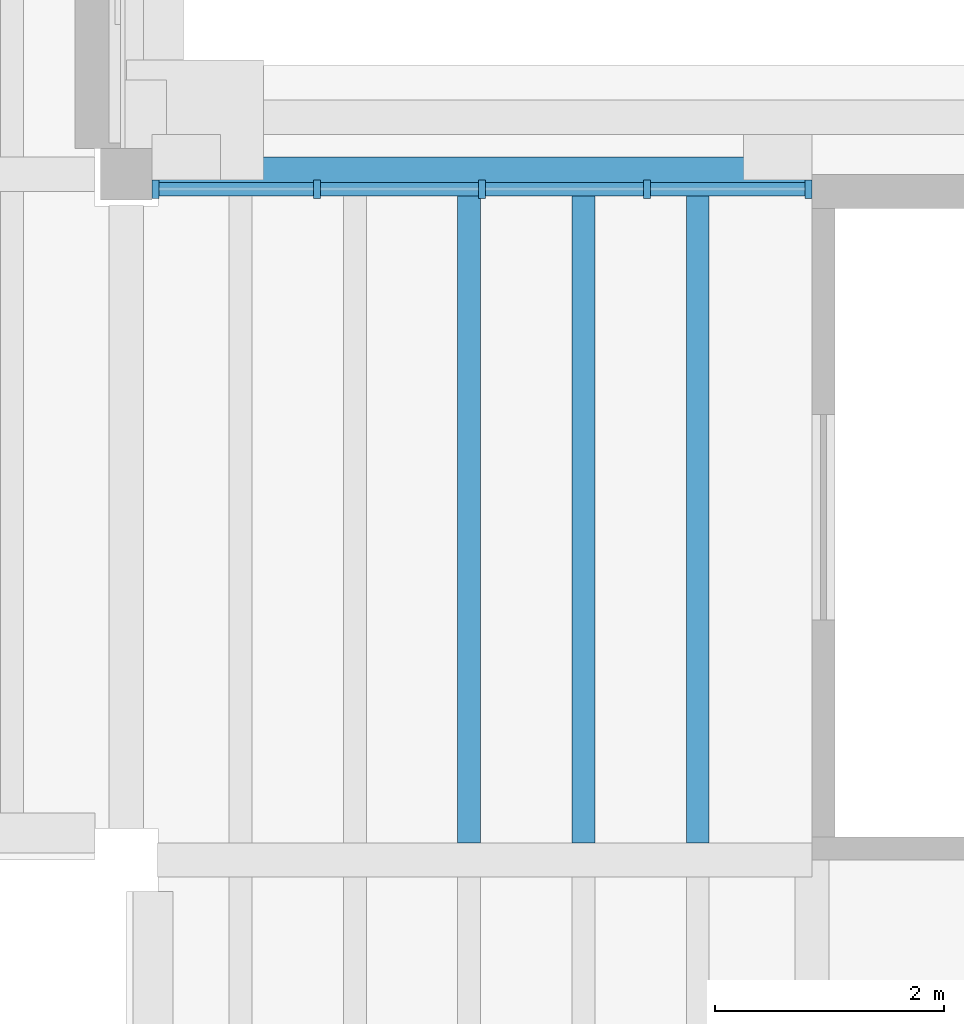
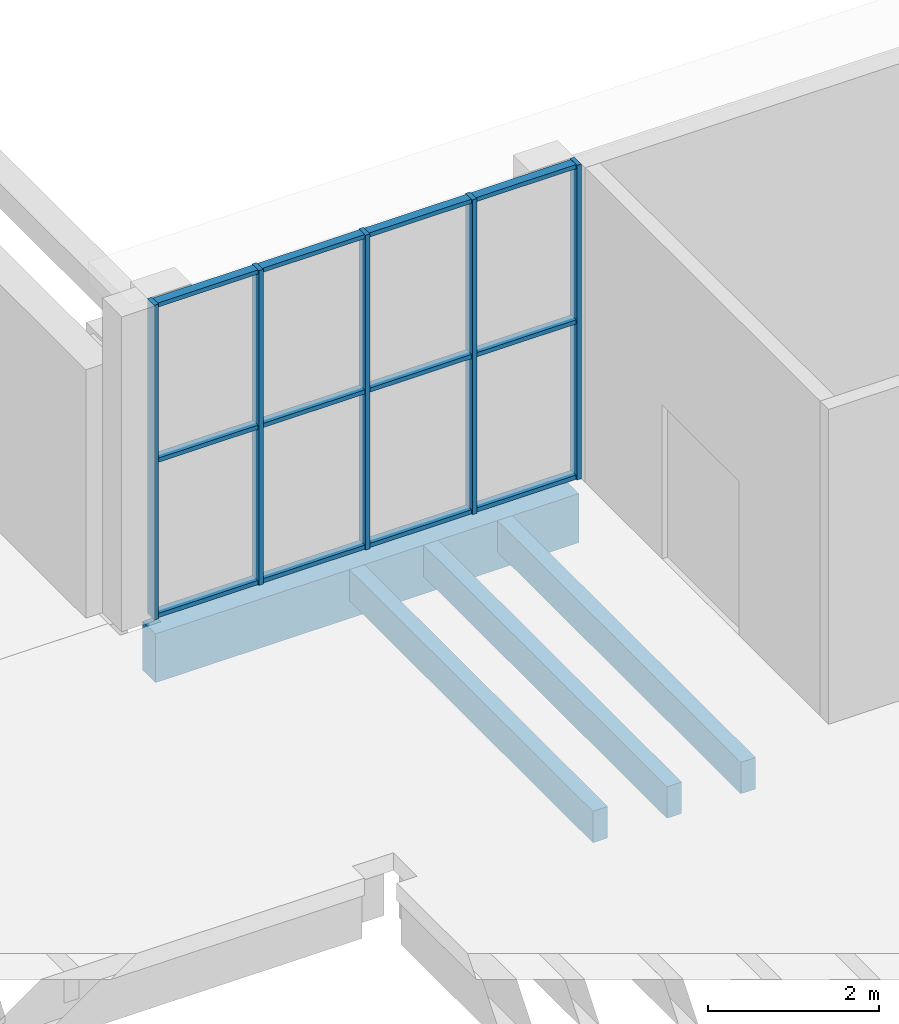
# One storey, part 9 of 70: 17 members, 4 beams, 1 element without a shape of its own.
"""IFC4 building model written with IfcOpenShell, lengths in metres."""

from ifc_helpers import new_model, si_unit, direction, frame, origin, origin_2d, place, context, subcontext, project, spatial, rectangle, extrude, material, material_profile, profile_set, type_object, element, aggregate, save


model = new_model("IFC4")

# Units and contexts
model_context = context("Model", 3, precision=1e-05, world=origin(), true_north=direction((0.0, 1.0)))
body_context = subcontext(model_context, "Body", "Model", "MODEL_VIEW")
ifc_project = project(units=[si_unit("LENGTHUNIT", "METRE"), si_unit("AREAUNIT", "SQUARE_METRE"), si_unit("VOLUMEUNIT", "CUBIC_METRE"), si_unit("PLANEANGLEUNIT", "RADIAN"), si_unit("MASSUNIT", "GRAM", prefix="KILO")], contexts=[model_context])

# Site, building, storey
site_placement = place(None, origin())
site = spatial("IfcSite", under=ifc_project, at=site_placement, CompositionType="ELEMENT")
building_placement = place(site_placement, origin())
building = spatial("IfcBuilding", under=site, at=building_placement, Name="Saffron Lane Theatres", CompositionType="ELEMENT")
storey_placement = place(building_placement, frame((0.0, 0.0, 12.0)))
storey = spatial("IfcBuildingStorey", under=building, at=storey_placement, Name="L02", CompositionType="ELEMENT", Elevation=12.0)

# Curtain wall, members
ifc_material_1 = material(Name="Aluminium", Category="aluminium")
curtain_wall_type = type_object("IfcCurtainWallType", Name="EX-CURTAIN WALL 5770x4500x160", PredefinedType="NOTDEFINED", material=ifc_material_1)
curtain_wall_placement = place(storey_placement, origin())
curtain_wall = element("IfcCurtainWall", 1, at=curtain_wall_placement, inside=storey, type_object=curtain_wall_type, Name="Curtain wall L02 04", PredefinedType="NOTDEFINED")
ifc_material_2 = material(Name="Aluminium", Category="aluminium")
ifc_material_profile_1 = material_profile(ifc_material_2, rectangle(XDim=0.06005859375, YDim=0.159912109375, at=origin_2d()))
ifc_profile_set_1 = profile_set([ifc_material_profile_1], Name="Aluminium")
member_type_1 = type_object("IfcMemberType", Name="EX-CW MULLION 60x160", PredefinedType="MULLION", material=ifc_profile_set_1)
member_1_placement = place(storey_placement, frame((54.255126953125, 29.8701171875, 0.0), z_axis=(0.0, 0.0, 1.0), x_axis=(1.0, 0.0, 0.0)))
member_1 = element("IfcMember", 2, at=member_1_placement, type_object=member_type_1, Name="CW-02-04 mullion 1", PredefinedType="MULLION", context=body_context, shape_type="SweptSolid", body=[
    extrude(rectangle(XDim=0.06005859375, YDim=0.159912109375, at=origin_2d()), origin(), (0.0, 0.0, 1.0), 4.5),
])
member_2_placement = place(storey_placement, frame((55.668701171875, 29.8701171875, 0.0), z_axis=(0.0, 0.0, 1.0), x_axis=(1.0, 0.0, 0.0)))
member_2 = element("IfcMember", 3, at=member_2_placement, type_object=member_type_1, Name="CW-02-04 mullion 2", PredefinedType="MULLION", context=body_context, shape_type="SweptSolid", body=[
    extrude(rectangle(XDim=0.06005859375, YDim=0.159912109375, at=origin_2d()), origin(), (0.0, 0.0, 1.0), 4.5),
])
member_3_placement = place(storey_placement, frame((57.112548828125, 29.8701171875, 0.0), z_axis=(0.0, 0.0, 1.0), x_axis=(1.0, 0.0, 0.0)))
member_3 = element("IfcMember", 4, at=member_3_placement, type_object=member_type_1, Name="CW-02-04 mullion 3", PredefinedType="MULLION", context=body_context, shape_type="SweptSolid", body=[
    extrude(rectangle(XDim=0.06005859375, YDim=0.159912109375, at=origin_2d()), origin(), (0.0, 0.0, 1.0), 4.5),
])
member_4_placement = place(storey_placement, frame((58.55615234375, 29.8701171875, 0.0), z_axis=(0.0, 0.0, 1.0), x_axis=(1.0, 0.0, 0.0)))
member_4 = element("IfcMember", 5, at=member_4_placement, type_object=member_type_1, Name="CW-02-04 mullion 4", PredefinedType="MULLION", context=body_context, shape_type="SweptSolid", body=[
    extrude(rectangle(XDim=0.06005859375, YDim=0.159912109375, at=origin_2d()), origin(), (0.0, 0.0, 1.0), 4.5),
])
member_5_placement = place(storey_placement, frame((59.969970703125, 29.8701171875, 0.0), z_axis=(0.0, 0.0, 1.0), x_axis=(1.0, 0.0, 0.0)))
member_5 = element("IfcMember", 6, at=member_5_placement, type_object=member_type_1, Name="CW-02-04 mullion 5", PredefinedType="MULLION", context=body_context, shape_type="SweptSolid", body=[
    extrude(rectangle(XDim=0.06005859375, YDim=0.159912109375, at=origin_2d()), origin(), (0.0, 0.0, 1.0), 4.5),
])
ifc_material_3 = material(Name="Aluminium", Category="aluminium")
ifc_material_profile_2 = material_profile(ifc_material_3, rectangle(XDim=0.1201171875, YDim=0.06005859375, at=origin_2d()))
ifc_profile_set_2 = profile_set([ifc_material_profile_2], Name="Aluminium")
member_type_2 = type_object("IfcMemberType", Name="EX-CW TRANSOM 120x60", PredefinedType="USERDEFINED", material=ifc_profile_set_2)
member_6_placement = place(storey_placement, frame((54.28515625, 29.8701171875, 0.030029296875), z_axis=(1.0, 0.0, 0.0), x_axis=(0.0, 1.0, 0.0)))
member_6 = element("IfcMember", 7, at=member_6_placement, type_object=member_type_2, Name="CW-02-04 transom 1.1", ObjectType="TRANSOM", PredefinedType="USERDEFINED", context=body_context, shape_type="SweptSolid", body=[
    extrude(rectangle(XDim=0.1201171875, YDim=0.06005859375, at=origin_2d()), origin(), (0.0, 0.0, 1.0), 1.353759765625),
])
member_7_placement = place(storey_placement, frame((54.28515625, 29.8701171875, 2.25), z_axis=(1.0, 0.0, 0.0), x_axis=(0.0, 1.0, 0.0)))
member_7 = element("IfcMember", 8, at=member_7_placement, type_object=member_type_2, Name="CW-02-04 transom 1.2", ObjectType="TRANSOM", PredefinedType="USERDEFINED", context=body_context, shape_type="SweptSolid", body=[
    extrude(rectangle(XDim=0.1201171875, YDim=0.06005859375, at=origin_2d()), origin(), (0.0, 0.0, 1.0), 1.353759765625),
])
member_8_placement = place(storey_placement, frame((54.28515625, 29.8701171875, 4.469970703125), z_axis=(1.0, 0.0, 0.0), x_axis=(0.0, 1.0, 0.0)))
member_8 = element("IfcMember", 9, at=member_8_placement, type_object=member_type_2, Name="CW-02-04 transom 1.3", ObjectType="TRANSOM", PredefinedType="USERDEFINED", context=body_context, shape_type="SweptSolid", body=[
    extrude(rectangle(XDim=0.1201171875, YDim=0.06005859375, at=origin_2d()), origin(), (0.0, 0.0, 1.0), 1.353759765625),
])
member_9_placement = place(storey_placement, frame((55.69873046875, 29.8701171875, 0.030029296875), z_axis=(1.0, 0.0, 0.0), x_axis=(0.0, 1.0, 0.0)))
member_9 = element("IfcMember", 10, at=member_9_placement, type_object=member_type_2, Name="CW-02-04 transom 2.1", ObjectType="TRANSOM", PredefinedType="USERDEFINED", context=body_context, shape_type="SweptSolid", body=[
    extrude(rectangle(XDim=0.1201171875, YDim=0.06005859375, at=origin_2d()), origin(), (0.0, 0.0, 1.0), 1.3837890625),
])
member_10_placement = place(storey_placement, frame((55.69873046875, 29.8701171875, 2.25), z_axis=(1.0, 0.0, 0.0), x_axis=(0.0, 1.0, 0.0)))
member_10 = element("IfcMember", 11, at=member_10_placement, type_object=member_type_2, Name="CW-02-04 transom 2.2", ObjectType="TRANSOM", PredefinedType="USERDEFINED", context=body_context, shape_type="SweptSolid", body=[
    extrude(rectangle(XDim=0.1201171875, YDim=0.06005859375, at=origin_2d()), origin(), (0.0, 0.0, 1.0), 1.3837890625),
])
member_11_placement = place(storey_placement, frame((55.69873046875, 29.8701171875, 4.469970703125), z_axis=(1.0, 0.0, 0.0), x_axis=(0.0, 1.0, 0.0)))
member_11 = element("IfcMember", 12, at=member_11_placement, type_object=member_type_2, Name="CW-02-04 transom 2.3", ObjectType="TRANSOM", PredefinedType="USERDEFINED", context=body_context, shape_type="SweptSolid", body=[
    extrude(rectangle(XDim=0.1201171875, YDim=0.06005859375, at=origin_2d()), origin(), (0.0, 0.0, 1.0), 1.3837890625),
])
member_12_placement = place(storey_placement, frame((57.142578125, 29.8701171875, 0.030029296875), z_axis=(1.0, 0.0, 0.0), x_axis=(0.0, 1.0, 0.0)))
member_12 = element("IfcMember", 13, at=member_12_placement, type_object=member_type_2, Name="CW-02-04 transom 3.1", ObjectType="TRANSOM", PredefinedType="USERDEFINED", context=body_context, shape_type="SweptSolid", body=[
    extrude(rectangle(XDim=0.1201171875, YDim=0.06005859375, at=origin_2d()), origin(), (0.0, 0.0, 1.0), 1.3837890625),
])
member_13_placement = place(storey_placement, frame((57.142578125, 29.8701171875, 2.25), z_axis=(1.0, 0.0, 0.0), x_axis=(0.0, 1.0, 0.0)))
member_13 = element("IfcMember", 14, at=member_13_placement, type_object=member_type_2, Name="CW-02-04 transom 3.2", ObjectType="TRANSOM", PredefinedType="USERDEFINED", context=body_context, shape_type="SweptSolid", body=[
    extrude(rectangle(XDim=0.1201171875, YDim=0.06005859375, at=origin_2d()), origin(), (0.0, 0.0, 1.0), 1.3837890625),
])
member_14_placement = place(storey_placement, frame((57.142578125, 29.8701171875, 4.469970703125), z_axis=(1.0, 0.0, 0.0), x_axis=(0.0, 1.0, 0.0)))
member_14 = element("IfcMember", 15, at=member_14_placement, type_object=member_type_2, Name="CW-02-04 transom 3.3", ObjectType="TRANSOM", PredefinedType="USERDEFINED", context=body_context, shape_type="SweptSolid", body=[
    extrude(rectangle(XDim=0.1201171875, YDim=0.06005859375, at=origin_2d()), origin(), (0.0, 0.0, 1.0), 1.3837890625),
])
member_15_placement = place(storey_placement, frame((58.586181640625, 29.8701171875, 0.030029296875), z_axis=(1.0, 0.0, 0.0), x_axis=(0.0, 1.0, 0.0)))
member_15 = element("IfcMember", 16, at=member_15_placement, type_object=member_type_2, Name="CW-02-04 transom 4.1", ObjectType="TRANSOM", PredefinedType="USERDEFINED", context=body_context, shape_type="SweptSolid", body=[
    extrude(rectangle(XDim=0.1201171875, YDim=0.06005859375, at=origin_2d()), origin(), (0.0, 0.0, 1.0), 1.353759765625),
])
member_16_placement = place(storey_placement, frame((58.586181640625, 29.8701171875, 2.25), z_axis=(1.0, 0.0, 0.0), x_axis=(0.0, 1.0, 0.0)))
member_16 = element("IfcMember", 17, at=member_16_placement, type_object=member_type_2, Name="CW-02-04 transom 4.2", ObjectType="TRANSOM", PredefinedType="USERDEFINED", context=body_context, shape_type="SweptSolid", body=[
    extrude(rectangle(XDim=0.1201171875, YDim=0.06005859375, at=origin_2d()), origin(), (0.0, 0.0, 1.0), 1.353759765625),
])
member_17_placement = place(storey_placement, frame((58.586181640625, 29.8701171875, 4.469970703125), z_axis=(1.0, 0.0, 0.0), x_axis=(0.0, 1.0, 0.0)))
member_17 = element("IfcMember", 18, at=member_17_placement, type_object=member_type_2, Name="CW-02-04 transom 4.3", ObjectType="TRANSOM", PredefinedType="USERDEFINED", context=body_context, shape_type="SweptSolid", body=[
    extrude(rectangle(XDim=0.1201171875, YDim=0.06005859375, at=origin_2d()), origin(), (0.0, 0.0, 1.0), 1.353759765625),
])
aggregate(curtain_wall, [member_1, member_2, member_3, member_4, member_5, member_6, member_7, member_8, member_9, member_10, member_11, member_12, member_13, member_14, member_15, member_16, member_17])

# Beams
ifc_material_4 = material(Name="Concrete N40 (40 MPa)", Category="concrete")
ifc_material_profile_3 = material_profile(ifc_material_4, rectangle(XDim=0.300048828125, YDim=0.699951171875, at=origin_2d()))
ifc_profile_set_3 = profile_set([ifc_material_profile_3], Name="Concrete N40 (40 MPa)")
beam_type_1 = type_object("IfcBeamType", Name="RC-BEAM 300x700", PredefinedType="BEAM", material=ifc_profile_set_3)
beam_placement = place(storey_placement, frame((54.27490234375, 30.0, -0.60009765625), z_axis=(1.0, 0.0, 0.0), x_axis=(0.0, 1.0, 0.0)))
element("IfcBeam", 19, at=beam_placement, inside=storey, type_object=beam_type_1, Name="beam-L02-x300-543", PredefinedType="BEAM", context=body_context, shape_type="SweptSolid", body=[
    extrude(rectangle(XDim=0.300048828125, YDim=0.699951171875, at=origin_2d()), origin(), (0.0, 0.0, 1.0), 5.72509765625),
])
ifc_material_5 = material(Name="Concrete N40 (40 MPa)", Category="concrete")
ifc_material_profile_4 = material_profile(ifc_material_5, rectangle(XDim=0.199951171875, YDim=0.449951171875, at=origin_2d()))
ifc_profile_set_4 = profile_set([ifc_material_profile_4], Name="Concrete N40 (40 MPa)")
beam_type_2 = type_object("IfcBeamType", Name="RC-JOIST 200x450", PredefinedType="JOIST", material=ifc_profile_set_4)
for number, where, z_axis, x_axis, name in (
    (20, (57.0, 24.14990234375, -0.47509765625), (0.0, 1.0, 0.0), (-1.0, 0.0, 0.0), "joist-L02-y5700-242"),
    (21, (58.0, 24.14990234375, -0.47509765625), (0.0, 1.0, 0.0), (-1.0, 0.0, 0.0), "joist-L02-y5800-242"),
    (22, (59.0, 24.14990234375, -0.47509765625), (0.0, 1.0, 0.0), (-1.0, 0.0, 0.0), "joist-L02-y5900-242"),
):
    element("IfcBeam", number, at=place(storey_placement, frame(where, z_axis=z_axis, x_axis=x_axis)), inside=storey, type_object=beam_type_2, Name=name, PredefinedType="JOIST", context=body_context, shape_type="SweptSolid", body=[
        extrude(rectangle(XDim=0.199951171875, YDim=0.449951171875, at=origin_2d()), origin(), (0.0, 0.0, 1.0), 5.7001953125),
    ])

save(model, "model.ifc")
